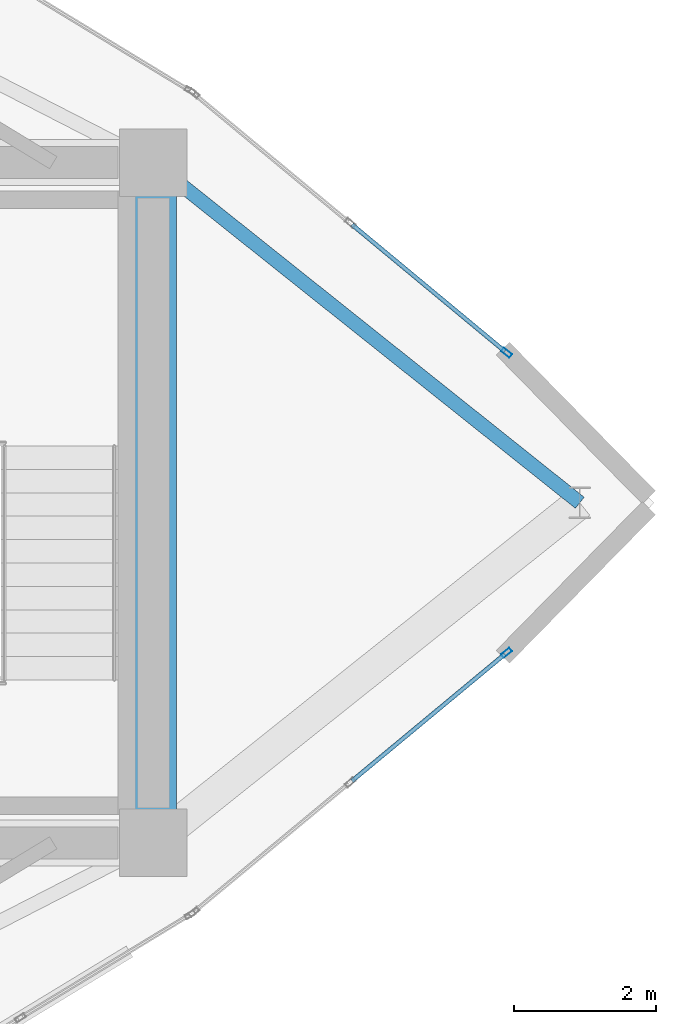
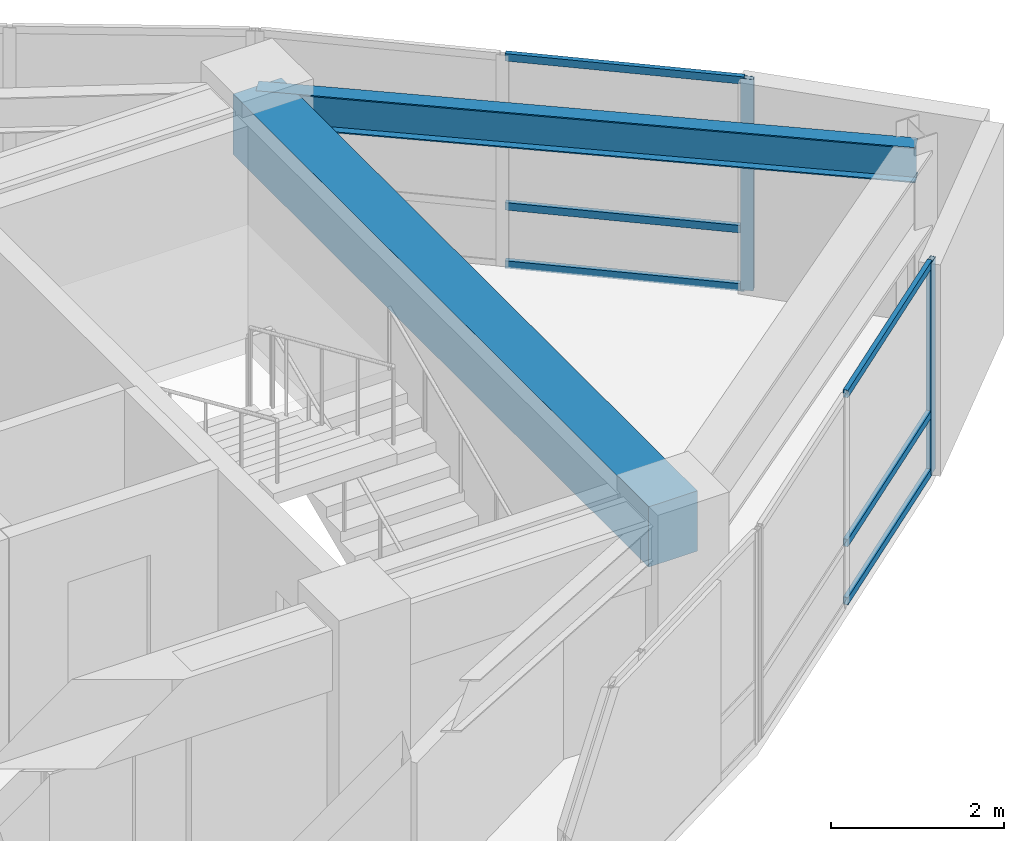
# One storey, part 6 of 14: 8 members, 2 beams, 2 elements without a shape of their own.
"""IFC4 building model written with IfcOpenShell, lengths in metres."""

from ifc_helpers import new_model, si_unit, direction, frame, origin, origin_2d, place, context, subcontext, project, spatial, rectangle, hollow_rectangle, i_section, extrude, material, layer, layer_set, material_profile, profile_set, type_object, element, aggregate, save


model = new_model("IFC4")

# Units and contexts
model_context = context("Model", 3, precision=1e-05, world=origin(), true_north=direction((0.0, 1.0)))
body_context = subcontext(model_context, "Body", "Model", "MODEL_VIEW")
ifc_project = project(units=[si_unit("LENGTHUNIT", "METRE"), si_unit("AREAUNIT", "SQUARE_METRE"), si_unit("VOLUMEUNIT", "CUBIC_METRE"), si_unit("PLANEANGLEUNIT", "RADIAN"), si_unit("MASSUNIT", "GRAM", prefix="KILO")], contexts=[model_context])

# Site, building, storey
site_placement = place(None, origin())
site = spatial("IfcSite", under=ifc_project, at=site_placement, CompositionType="ELEMENT")
building_placement = place(site_placement, origin())
building = spatial("IfcBuilding", under=site, at=building_placement, Name="Menara Vayukalpa", CompositionType="ELEMENT")
storey_placement = place(building_placement, frame((0.0, 0.0, 308.820068359375)))
storey = spatial("IfcBuildingStorey", under=building, at=storey_placement, Name="L79", CompositionType="ELEMENT", Elevation=308.820068359375)

# Beams
ifc_material_1 = material(Name="Concrete C60/75", Category="concrete")
ifc_material_profile_1 = material_profile(ifc_material_1, rectangle(XDim=0.64990234375, YDim=0.85009765625, at=origin_2d()), Name="RC 650x850")
ifc_profile_set_1 = profile_set([ifc_material_profile_1], Name="Concrete C60/75")
beam_type_1 = type_object("IfcBeamType", Name="BM-CB1", PredefinedType="BEAM", material=ifc_profile_set_1)
beam_1_placement = place(storey_placement, frame((33.39990234375, 17.199951171875, 2.554931640625), z_axis=(0.0, 1.0, 0.0), x_axis=(-1.0, 0.0, 0.0)))
element("IfcBeam", 1, at=beam_1_placement, inside=storey, type_object=beam_type_1, Name="L79 Core Tie Beam CBR8", PredefinedType="BEAM", context=body_context, shape_type="SweptSolid", body=[
    extrude(rectangle(XDim=0.64990234375, YDim=0.85009765625, at=origin_2d()), origin(), (0.0, 0.0, 1.0), 9.60009765625),
])
ifc_material_2 = material(Name="Steel S355", Category="steel")
ifc_material_profile_2 = material_profile(ifc_material_2, i_section(OverallWidth=0.199951171875, OverallDepth=0.5, WebThickness=0.010009765625, FlangeThickness=0.01611328125, at=origin_2d()), Name="WF 500x200x10x16")
ifc_profile_set_2 = profile_set([ifc_material_profile_2], Name="Steel S355")
beam_type_2 = type_object("IfcBeamType", Name="BM-SP3", PredefinedType="SPANDREL", material=ifc_profile_set_2)
beam_2_placement = place(storey_placement, frame((39.4189453125, 22.0, 2.72998046875), z_axis=(-0.781830074652, 0.6234915672, 0.0), x_axis=(-0.6234915672, -0.781830074652, 0.0)))
element("IfcBeam", 2, at=beam_2_placement, inside=storey, type_object=beam_type_2, Name="L79 Perimeter Spandrel Beam SP01", PredefinedType="SPANDREL", context=body_context, shape_type="SweptSolid", body=[
    extrude(i_section(OverallWidth=0.199951171875, OverallDepth=0.5, WebThickness=0.010009765625, FlangeThickness=0.01611328125, at=origin_2d()), origin(), (0.0, 0.0, 1.0), 7.69873046875),
])

# Curtain wall, member
ifc_material_3 = material(Name="Anodised Terracotta Aluminium Alloy 6063-T6", Category="masonry")
ifc_layer = layer(ifc_material_3, 0.14990234375)
ifc_layer_set = layer_set([ifc_layer], Name="Anodised Terracotta Aluminium Alloy 6063-T6")
curtain_wall_type = type_object("IfcCurtainWallType", Name="CW-CW7", PredefinedType="USERDEFINED", material=ifc_layer_set)
curtain_wall_1_placement = place(storey_placement, origin())
curtain_wall_1 = element("IfcCurtainWall", 3, at=curtain_wall_1_placement, inside=storey, type_object=curtain_wall_type, Name="L79 Crown Drum Screened Curtain Wall CW7 03", ObjectType="UNITISED", PredefinedType="USERDEFINED")
ifc_material_4 = material(Name="Anodised Terracotta Aluminium Alloy 6063-T6", Category="masonry")
ifc_material_profile_3 = material_profile(ifc_material_4, hollow_rectangle(XDim=0.06494140625, YDim=0.14990234375, WallThickness=0.00341796875, at=origin_2d()), Name="ALU 65x150x3.5")
ifc_profile_set_3 = profile_set([ifc_material_profile_3], Name="Anodised Terracotta Aluminium Alloy 6063-T6")
member_type_1 = type_object("IfcMemberType", Name="CWM-CW7", PredefinedType="MULLION", material=ifc_profile_set_3)
member_1_placement = place(storey_placement, frame((38.3857421875, 24.1171875, 0.0), z_axis=(0.0, 0.0, 1.0), x_axis=(-0.63834658997, -0.7697490702, 0.0)))
member_1 = element("IfcMember", 4, at=member_1_placement, type_object=member_type_1, Name="CW7 mullion 1", PredefinedType="MULLION", context=body_context, shape_type="SweptSolid", body=[
    extrude(hollow_rectangle(XDim=0.06494140625, YDim=0.14990234375, WallThickness=0.00341796875, at=origin_2d()), origin(), (0.0, 0.0, 1.0), 2.97998046875),
])

curtain_wall_2_placement = place(storey_placement, origin())
curtain_wall_2 = element("IfcCurtainWall", 5, at=curtain_wall_2_placement, inside=storey, type_object=curtain_wall_type, Name="L79 Crown Drum Screened Curtain Wall CW7 18", ObjectType="UNITISED", PredefinedType="USERDEFINED")
member_2_placement = place(storey_placement, frame((38.3857421875, 19.8828125, 0.0), z_axis=(0.0, 0.0, 1.0), x_axis=(-0.63834658997, 0.7697490702, 0.0)))
member_2 = element("IfcMember", 6, at=member_2_placement, type_object=member_type_1, Name="CW7 mullion 3", PredefinedType="MULLION", context=body_context, shape_type="SweptSolid", body=[
    extrude(hollow_rectangle(XDim=0.06494140625, YDim=0.14990234375, WallThickness=0.00341796875, at=origin_2d()), origin(), (0.0, 0.0, 1.0), 2.97998046875),
])

# Member
ifc_material_5 = material(Name="Anodised Terracotta Aluminium Alloy 6063-T6", Category="masonry")
ifc_material_profile_4 = material_profile(ifc_material_5, hollow_rectangle(XDim=0.06005859375, YDim=0.10498046875, WallThickness=0.0029296875, at=origin_2d()), Name="ALU 60x105x3")
ifc_profile_set_4 = profile_set([ifc_material_profile_4], Name="Anodised Terracotta Aluminium Alloy 6063-T6")
member_type_2 = type_object("IfcMemberType", Name="CWT-CW7", PredefinedType="USERDEFINED", material=ifc_profile_set_4)
member_3_placement = place(storey_placement, frame((38.360595703125, 24.137939453125, 0.030029296875), z_axis=(-0.769691097873, 0.638416489335, 0.0), x_axis=(-0.638416489335, -0.769691097873, 0.0)))
member_3 = element("IfcMember", 7, at=member_3_placement, type_object=member_type_2, Name="CW7 transom 1.1", ObjectType="TRANSOM", PredefinedType="USERDEFINED", context=body_context, shape_type="SweptSolid", body=[
    extrude(hollow_rectangle(XDim=0.06005859375, YDim=0.10498046875, WallThickness=0.0029296875, at=origin_2d()), origin(), (0.0, 0.0, 1.0), 2.80078125),
])

member_4_placement = place(storey_placement, frame((38.360595703125, 24.137939453125, 0.849853515625), z_axis=(-0.769691097873, 0.638416489335, 0.0), x_axis=(-0.638416489335, -0.769691097873, 0.0)))
member_4 = element("IfcMember", 8, at=member_4_placement, type_object=member_type_2, Name="CW7 transom 1.2", ObjectType="TRANSOM", PredefinedType="USERDEFINED", context=body_context, shape_type="SweptSolid", body=[
    extrude(hollow_rectangle(XDim=0.06005859375, YDim=0.10498046875, WallThickness=0.0029296875, at=origin_2d()), origin(), (0.0, 0.0, 1.0), 2.80078125),
])

member_5_placement = place(storey_placement, frame((38.360595703125, 24.137939453125, 2.949951171875), z_axis=(-0.769691097873, 0.638416489335, 0.0), x_axis=(-0.638416489335, -0.769691097873, 0.0)))
member_5 = element("IfcMember", 9, at=member_5_placement, type_object=member_type_2, Name="CW7 transom 1.3", ObjectType="TRANSOM", PredefinedType="USERDEFINED", context=body_context, shape_type="SweptSolid", body=[
    extrude(hollow_rectangle(XDim=0.06005859375, YDim=0.10498046875, WallThickness=0.0029296875, at=origin_2d()), origin(), (0.0, 0.0, 1.0), 2.80078125),
])

aggregate(curtain_wall_1, [member_1, member_3, member_4, member_5])

member_6_placement = place(storey_placement, frame((36.204833984375, 18.073974609375, 0.030029296875), z_axis=(0.769691097873, 0.638416489335, 0.0), x_axis=(-0.638416489335, 0.769691097873, 0.0)))
member_6 = element("IfcMember", 10, at=member_6_placement, type_object=member_type_2, Name="CW7 transom 2.1", ObjectType="TRANSOM", PredefinedType="USERDEFINED", context=body_context, shape_type="SweptSolid", body=[
    extrude(hollow_rectangle(XDim=0.06005859375, YDim=0.10498046875, WallThickness=0.0029296875, at=origin_2d()), origin(), (0.0, 0.0, 1.0), 2.80078125),
])

member_7_placement = place(storey_placement, frame((36.204833984375, 18.073974609375, 0.849853515625), z_axis=(0.769691097873, 0.638416489335, 0.0), x_axis=(-0.638416489335, 0.769691097873, 0.0)))
member_7 = element("IfcMember", 11, at=member_7_placement, type_object=member_type_2, Name="CW7 transom 2.2", ObjectType="TRANSOM", PredefinedType="USERDEFINED", context=body_context, shape_type="SweptSolid", body=[
    extrude(hollow_rectangle(XDim=0.06005859375, YDim=0.10498046875, WallThickness=0.0029296875, at=origin_2d()), origin(), (0.0, 0.0, 1.0), 2.80078125),
])

member_8_placement = place(storey_placement, frame((36.204833984375, 18.073974609375, 2.949951171875), z_axis=(0.769691097873, 0.638416489335, 0.0), x_axis=(-0.638416489335, 0.769691097873, 0.0)))
member_8 = element("IfcMember", 12, at=member_8_placement, type_object=member_type_2, Name="CW7 transom 2.3", ObjectType="TRANSOM", PredefinedType="USERDEFINED", context=body_context, shape_type="SweptSolid", body=[
    extrude(hollow_rectangle(XDim=0.06005859375, YDim=0.10498046875, WallThickness=0.0029296875, at=origin_2d()), origin(), (0.0, 0.0, 1.0), 2.80078125),
])

aggregate(curtain_wall_2, [member_2, member_6, member_7, member_8])

save(model, "model.ifc")
